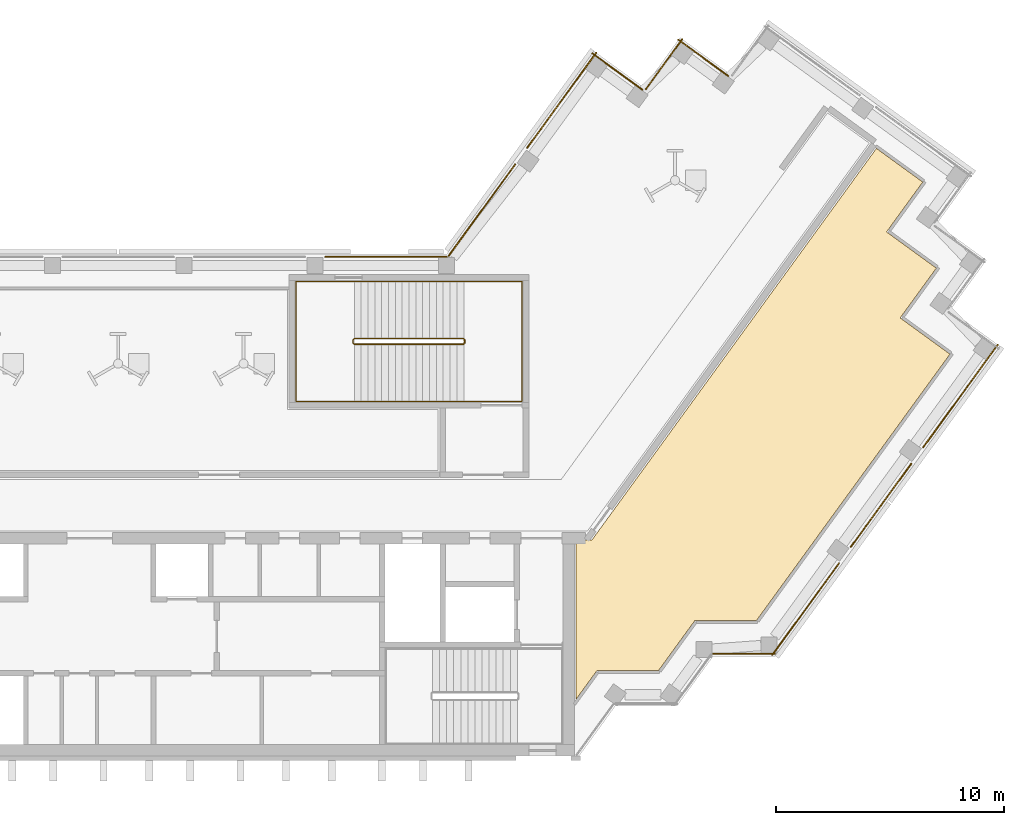
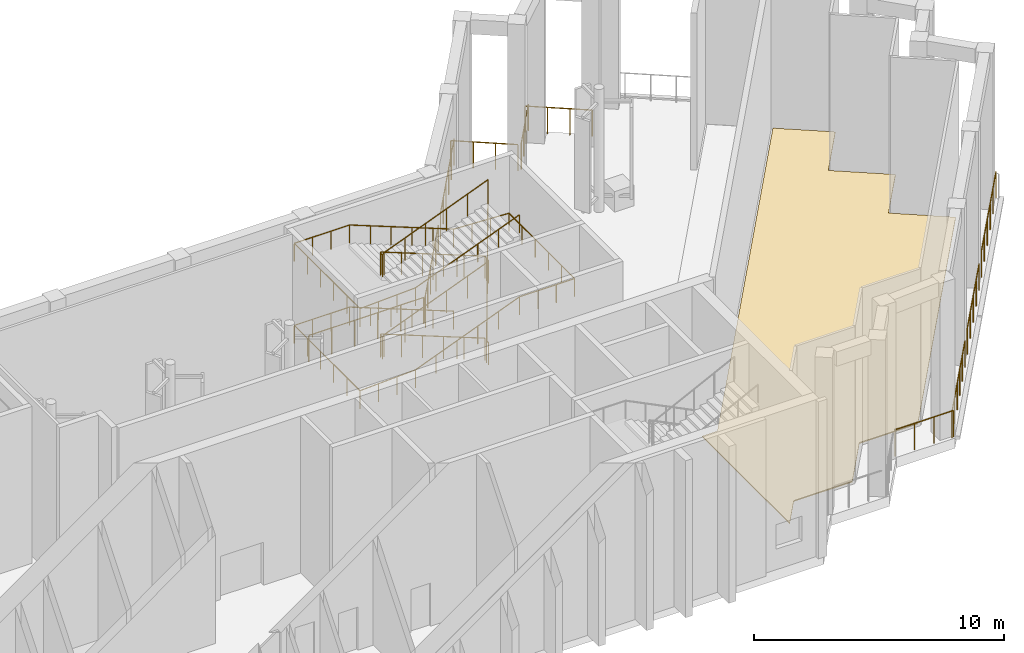
# One storey, part 10 of 12: 12 railings, 1 covering.
"""IFC4 building model written with IfcOpenShell, lengths in metres."""

from ifc_helpers import new_model, si_unit, direction, frame, origin, origin_2d, place, context, subcontext, project, spatial, polyline, circle, outline, extrude, material, layer, layer_set, type_object, element, save


model = new_model("IFC4")

# Units and contexts
model_context = context("Model", 3, precision=1e-05, world=origin(), true_north=direction((0.0, 1.0)))
body_context = subcontext(model_context, "Body", "Model", "MODEL_VIEW")
ifc_project = project(units=[si_unit("LENGTHUNIT", "METRE"), si_unit("AREAUNIT", "SQUARE_METRE"), si_unit("VOLUMEUNIT", "CUBIC_METRE"), si_unit("PLANEANGLEUNIT", "RADIAN"), si_unit("MASSUNIT", "GRAM", prefix="KILO")], contexts=[model_context])

# Site, building, storey
site_placement = place(None, origin())
site = spatial("IfcSite", under=ifc_project, at=site_placement, CompositionType="ELEMENT")
building_placement = place(site_placement, origin())
building = spatial("IfcBuilding", under=site, at=building_placement, Name="Quipu Civic Tower", CompositionType="ELEMENT")
storey_placement = place(building_placement, frame((0.0, 0.0, 273.0)))
storey = spatial("IfcBuildingStorey", under=building, at=storey_placement, Name="L64", CompositionType="ELEMENT", Elevation=273.0)

# Covering
ifc_material_1 = material(Name="Sealed cement screed")
ifc_layer = layer(ifc_material_1, 0.050048828125)
ifc_layer_set = layer_set([ifc_layer], Name="Sealed cement screed")
covering_type = type_object("IfcCoveringType", Name="Sealed screed floor finish 50", PredefinedType="FLOORING", material=ifc_layer_set)
covering_placement = place(storey_placement, origin())
element("IfcCovering", 1, at=covering_placement, inside=storey, type_object=covering_type, Name="Sealed screed floor finish 50", PredefinedType="FLOORING", context=body_context, shape_type="SweptSolid", body=[
    extrude(outline(polyline([(20.070068359375, -8.514892578125), (20.070068359375, -1.52001953125), (20.77490234375, -1.51904296875), (33.238037109375, 15.635009765625), (35.26904296875, 14.159912109375), (33.68310546875, 11.97412109375), (35.865966796875, 10.387939453125), (34.280029296875, 8.2041015625), (36.462890625, 6.616943359375), (27.97900390625, -5.06103515625), (25.279052734375, -5.06103515625), (23.69189453125, -7.24609375), (20.991943359375, -7.24609375), (20.070068359375, -8.514892578125)])), origin(), (0.0, 0.0, 1.0), 0.050048828125),
])

# Railings
ifc_material_2 = material(Name="Steel S275", Category="steel")
railing_type_1 = type_object("IfcRailingType", Name="Slot perimeter guard G3", PredefinedType="GUARDRAIL", material=ifc_material_2)
railing_1_placement = place(storey_placement, frame((26.078857421875, -6.51123046875, 0.0)))
element("IfcRailing", 2, at=railing_1_placement, inside=storey, type_object=railing_type_1, Name="Slot guard L64.23", PredefinedType="GUARDRAIL", context=body_context, shape_type="SweptSolid", body=[
    extrude(circle(Radius=0.02490234375, at=origin_2d()), frame((0.0, 0.0, 1.27490234375), z_axis=(1.0, 0.0, 0.0), x_axis=(0.0, 1.0, 0.0)), (0.0, 0.0, 1.0), 2.699951171875),
    extrude(circle(Radius=0.02490234375, at=origin_2d()), origin(), (0.0, 0.0, 1.0), 1.25),
    extrude(circle(Radius=0.02490234375, at=origin_2d()), frame((0.89990234375, 0.0, 0.0)), (0.0, 0.0, 1.0), 1.25),
    extrude(circle(Radius=0.02490234375, at=origin_2d()), frame((1.800048828125, 0.0, 0.0)), (0.0, 0.0, 1.0), 1.25),
    extrude(circle(Radius=0.02490234375, at=origin_2d()), frame((2.699951171875, 0.0, 0.0)), (0.0, 0.0, 1.0), 1.25),
])
railing_2_placement = place(storey_placement, frame((28.681640625, -6.560791015625, 0.0)))
element("IfcRailing", 3, at=railing_2_placement, inside=storey, type_object=railing_type_1, Name="Slot guard L64.24", PredefinedType="GUARDRAIL", context=body_context, shape_type="SweptSolid", body=[
    extrude(circle(Radius=0.02490234375, at=origin_2d()), frame((0.0, 0.0, 1.27490234375), z_axis=(0.587802132171, 0.809004730156, 0.0), x_axis=(-0.809004730156, 0.587802132171, 0.0)), (0.0, 0.0, 1.0), 4.9501953125),
    extrude(circle(Radius=0.02490234375, at=origin_2d()), origin(), (0.0, 0.0, 1.0), 1.25),
    extrude(circle(Radius=0.02490234375, at=origin_2d()), frame((0.58203125, 0.801025390625, 0.0)), (0.0, 0.0, 1.0), 1.25),
    extrude(circle(Radius=0.02490234375, at=origin_2d()), frame((1.163818359375, 1.601806640625, 0.0)), (0.0, 0.0, 1.0), 1.25),
    extrude(circle(Radius=0.02490234375, at=origin_2d()), frame((1.745849609375, 2.40283203125, 0.0)), (0.0, 0.0, 1.0), 1.25),
    extrude(circle(Radius=0.02490234375, at=origin_2d()), frame((2.32763671875, 3.20361328125, 0.0)), (0.0, 0.0, 1.0), 1.25),
    extrude(circle(Radius=0.02490234375, at=origin_2d()), frame((2.90966796875, 4.004638671875, 0.0)), (0.0, 0.0, 1.0), 1.25),
])
railing_3_placement = place(storey_placement, frame((32.120361328125, -1.827880859375, 0.0)))
element("IfcRailing", 4, at=railing_3_placement, inside=storey, type_object=railing_type_1, Name="Slot guard L64.25", PredefinedType="GUARDRAIL", context=body_context, shape_type="SweptSolid", body=[
    extrude(circle(Radius=0.02490234375, at=origin_2d()), frame((0.0, 0.0, 1.27490234375), z_axis=(0.587803872688, 0.809003465539, 0.0), x_axis=(-0.809003465539, 0.587803872688, 0.0)), (0.0, 0.0, 1.0), 4.499755859375),
    extrude(circle(Radius=0.02490234375, at=origin_2d()), origin(), (0.0, 0.0, 1.0), 1.25),
    extrude(circle(Radius=0.02490234375, at=origin_2d()), frame((0.6611328125, 0.91015625, 0.0)), (0.0, 0.0, 1.0), 1.25),
    extrude(circle(Radius=0.02490234375, at=origin_2d()), frame((1.322509765625, 1.8203125, 0.0)), (0.0, 0.0, 1.0), 1.25),
    extrude(circle(Radius=0.02490234375, at=origin_2d()), frame((1.98388671875, 2.730224609375, 0.0)), (0.0, 0.0, 1.0), 1.25),
    extrude(circle(Radius=0.02490234375, at=origin_2d()), frame((2.64501953125, 3.640380859375, 0.0)), (0.0, 0.0, 1.0), 1.25),
])
railing_4_placement = place(storey_placement, frame((35.29443359375, 2.540771484375, 0.0)))
element("IfcRailing", 5, at=railing_4_placement, inside=storey, type_object=railing_type_1, Name="Slot guard L64.26", PredefinedType="GUARDRAIL", context=body_context, shape_type="SweptSolid", body=[
    extrude(circle(Radius=0.02490234375, at=origin_2d()), frame((0.0, 0.0, 1.27490234375), z_axis=(0.587792681031, 0.809011597028, 0.0), x_axis=(-0.809011597028, 0.587792681031, 0.0)), (0.0, 0.0, 1.0), 5.554443359375),
    extrude(circle(Radius=0.02490234375, at=origin_2d()), origin(), (0.0, 0.0, 1.0), 1.25),
    extrude(circle(Radius=0.02490234375, at=origin_2d()), frame((0.653076171875, 0.898681640625, 0.0)), (0.0, 0.0, 1.0), 1.25),
    extrude(circle(Radius=0.02490234375, at=origin_2d()), frame((1.305908203125, 1.79736328125, 0.0)), (0.0, 0.0, 1.0), 1.25),
    extrude(circle(Radius=0.02490234375, at=origin_2d()), frame((1.958984375, 2.6962890625, 0.0)), (0.0, 0.0, 1.0), 1.25),
    extrude(circle(Radius=0.02490234375, at=origin_2d()), frame((2.61181640625, 3.594970703125, 0.0)), (0.0, 0.0, 1.0), 1.25),
    extrude(circle(Radius=0.02490234375, at=origin_2d()), frame((3.264892578125, 4.49365234375, 0.0)), (0.0, 0.0, 1.0), 1.25),
])
railing_5_placement = place(storey_placement, frame((26.7431640625, 18.80859375, 0.0)))
element("IfcRailing", 6, at=railing_5_placement, inside=storey, type_object=railing_type_1, Name="Slot guard L64.34", PredefinedType="GUARDRAIL", context=body_context, shape_type="SweptSolid", body=[
    extrude(circle(Radius=0.02490234375, at=origin_2d()), frame((0.0, 0.0, 1.27490234375), z_axis=(-0.809033161865, 0.587762999008, 0.0), x_axis=(-0.587762999008, -0.809033161865, 0.0)), (0.0, 0.0, 1.0), 2.699951171875),
    extrude(circle(Radius=0.02490234375, at=origin_2d()), origin(), (0.0, 0.0, 1.0), 1.25),
    extrude(circle(Radius=0.02490234375, at=origin_2d()), frame((-0.72802734375, 0.529052734375, 0.0)), (0.0, 0.0, 1.0), 1.25),
    extrude(circle(Radius=0.02490234375, at=origin_2d()), frame((-1.456298828125, 1.057861328125, 0.0)), (0.0, 0.0, 1.0), 1.25),
    extrude(circle(Radius=0.02490234375, at=origin_2d()), frame((-2.184326171875, 1.5869140625, 0.0)), (0.0, 0.0, 1.0), 1.25),
])
railing_6_placement = place(storey_placement, frame((24.7265625, 20.422119140625, 0.0)))
element("IfcRailing", 7, at=railing_6_placement, inside=storey, type_object=railing_type_1, Name="Slot guard L64.35", PredefinedType="GUARDRAIL", context=body_context, shape_type="SweptSolid", body=[
    extrude(circle(Radius=0.02490234375, at=origin_2d()), frame((0.0, 0.0, 1.27490234375), z_axis=(-0.587822180636, -0.808990163075, 0.0), x_axis=(0.808990163075, -0.587822180636, 0.0)), (0.0, 0.0, 1.0), 2.699951171875),
    extrude(circle(Radius=0.02490234375, at=origin_2d()), origin(), (0.0, 0.0, 1.0), 1.25),
    extrude(circle(Radius=0.02490234375, at=origin_2d()), frame((-0.529052734375, -0.72802734375, 0.0)), (0.0, 0.0, 1.0), 1.25),
    extrude(circle(Radius=0.02490234375, at=origin_2d()), frame((-1.05810546875, -1.456298828125, 0.0)), (0.0, 0.0, 1.0), 1.25),
    extrude(circle(Radius=0.02490234375, at=origin_2d()), frame((-1.587158203125, -2.184326171875, 0.0)), (0.0, 0.0, 1.0), 1.25),
])
railing_7_placement = place(storey_placement, frame((22.971923828125, 18.211181640625, 0.0)))
element("IfcRailing", 8, at=railing_7_placement, inside=storey, type_object=railing_type_1, Name="Slot guard L64.36", PredefinedType="GUARDRAIL", context=body_context, shape_type="SweptSolid", body=[
    extrude(circle(Radius=0.02490234375, at=origin_2d()), frame((0.0, 0.0, 1.27490234375), z_axis=(-0.809064397168, 0.587720002413, 0.0), x_axis=(-0.587720002413, -0.809064397168, 0.0)), (0.0, 0.0, 1.0), 2.7001953125),
    extrude(circle(Radius=0.02490234375, at=origin_2d()), origin(), (0.0, 0.0, 1.0), 1.25),
    extrude(circle(Radius=0.02490234375, at=origin_2d()), frame((-0.728271484375, 0.529052734375, 0.0)), (0.0, 0.0, 1.0), 1.25),
    extrude(circle(Radius=0.02490234375, at=origin_2d()), frame((-1.456298828125, 1.057861328125, 0.0)), (0.0, 0.0, 1.0), 1.25),
    extrude(circle(Radius=0.02490234375, at=origin_2d()), frame((-2.1845703125, 1.5869140625, 0.0)), (0.0, 0.0, 1.0), 1.25),
])
railing_8_placement = place(storey_placement, frame((20.955078125, 19.82470703125, 0.0)))
element("IfcRailing", 9, at=railing_8_placement, inside=storey, type_object=railing_type_1, Name="Slot guard L64.37", PredefinedType="GUARDRAIL", context=body_context, shape_type="SweptSolid", body=[
    extrude(circle(Radius=0.02490234375, at=origin_2d()), frame((0.0, 0.0, 1.27490234375), z_axis=(-0.587790732133, -0.809013013009, 0.0), x_axis=(0.809013013009, -0.587790732133, 0.0)), (0.0, 0.0, 1.0), 5.14501953125),
    extrude(circle(Radius=0.02490234375, at=origin_2d()), origin(), (0.0, 0.0, 1.0), 1.25),
    extrude(circle(Radius=0.02490234375, at=origin_2d()), frame((-0.604736328125, -0.83251953125, 0.0)), (0.0, 0.0, 1.0), 1.25),
    extrude(circle(Radius=0.02490234375, at=origin_2d()), frame((-1.209716796875, -1.6650390625, 0.0)), (0.0, 0.0, 1.0), 1.25),
    extrude(circle(Radius=0.02490234375, at=origin_2d()), frame((-1.814453125, -2.497314453125, 0.0)), (0.0, 0.0, 1.0), 1.25),
    extrude(circle(Radius=0.02490234375, at=origin_2d()), frame((-2.41943359375, -3.329833984375, 0.0)), (0.0, 0.0, 1.0), 1.25),
    extrude(circle(Radius=0.02490234375, at=origin_2d()), frame((-3.024169921875, -4.162353515625, 0.0)), (0.0, 0.0, 1.0), 1.25),
])
railing_9_placement = place(storey_placement, frame((17.40185546875, 14.93408203125, 0.0)))
element("IfcRailing", 10, at=railing_9_placement, inside=storey, type_object=railing_type_1, Name="Slot guard L64.38", PredefinedType="GUARDRAIL", context=body_context, shape_type="SweptSolid", body=[
    extrude(circle(Radius=0.02490234375, at=origin_2d()), frame((0.0, 0.0, 1.27490234375), z_axis=(-0.587802132171, -0.809004730156, 0.0), x_axis=(0.809004730156, -0.587802132171, 0.0)), (0.0, 0.0, 1.0), 4.9501953125),
    extrude(circle(Radius=0.02490234375, at=origin_2d()), origin(), (0.0, 0.0, 1.0), 1.25),
    extrude(circle(Radius=0.02490234375, at=origin_2d()), frame((-0.58203125, -0.801025390625, 0.0)), (0.0, 0.0, 1.0), 1.25),
    extrude(circle(Radius=0.02490234375, at=origin_2d()), frame((-1.163818359375, -1.601806640625, 0.0)), (0.0, 0.0, 1.0), 1.25),
    extrude(circle(Radius=0.02490234375, at=origin_2d()), frame((-1.745849609375, -2.40283203125, 0.0)), (0.0, 0.0, 1.0), 1.25),
    extrude(circle(Radius=0.02490234375, at=origin_2d()), frame((-2.32763671875, -3.20361328125, 0.0)), (0.0, 0.0, 1.0), 1.25),
    extrude(circle(Radius=0.02490234375, at=origin_2d()), frame((-2.90966796875, -4.004638671875, 0.0)), (0.0, 0.0, 1.0), 1.25),
])
railing_10_placement = place(storey_placement, frame((14.395263671875, 10.8798828125, 0.0)))
element("IfcRailing", 11, at=railing_10_placement, inside=storey, type_object=railing_type_1, Name="Slot guard L64.39", PredefinedType="GUARDRAIL", context=body_context, shape_type="SweptSolid", body=[
    extrude(circle(Radius=0.02490234375, at=origin_2d()), frame((0.0, 0.0, 1.27490234375), z_axis=(-1.0, 0.0, 0.0), x_axis=(0.0, -1.0, 0.0)), (0.0, 0.0, 1.0), 5.30810546875),
    extrude(circle(Radius=0.02490234375, at=origin_2d()), origin(), (0.0, 0.0, 1.0), 1.25),
    extrude(circle(Radius=0.02490234375, at=origin_2d()), frame((-1.0615234375, 0.0, 0.0)), (0.0, 0.0, 1.0), 1.25),
    extrude(circle(Radius=0.02490234375, at=origin_2d()), frame((-2.123291015625, 0.0, 0.0)), (0.0, 0.0, 1.0), 1.25),
    extrude(circle(Radius=0.02490234375, at=origin_2d()), frame((-3.184814453125, 0.0, 0.0)), (0.0, 0.0, 1.0), 1.25),
    extrude(circle(Radius=0.02490234375, at=origin_2d()), frame((-4.24658203125, 0.0, 0.0)), (0.0, 0.0, 1.0), 1.25),
    extrude(circle(Radius=0.02490234375, at=origin_2d()), frame((-5.30810546875, 0.0, 0.0)), (0.0, 0.0, 1.0), 1.25),
])
ifc_material_3 = material(Name="Stainless steel", Category="steel")
railing_type_2 = type_object("IfcRailingType", Name="Stair guard 1100", PredefinedType="GUARDRAIL", material=ifc_material_3)
railing_11_placement = place(storey_placement, frame((15.14990234375, 7.300048828125, 0.11767578125)))
element("IfcRailing", 12, at=railing_11_placement, inside=storey, type_object=railing_type_2, Name="Stair 4 guard", PredefinedType="GUARDRAIL", context=body_context, shape_type="SweptSolid", body=[
    extrude(circle(Radius=0.02392578125, at=origin_2d()), frame((0.0, 0.0, 1.076171875), z_axis=(-0.930970042603, 0.0, 0.365095576219), x_axis=(0.0, -1.0, 0.0)), (0.0, 0.0, 1.0), 5.15576171875),
    extrude(circle(Radius=0.02392578125, at=origin_2d()), frame((-4.7998046875, 0.0, 2.95849609375), z_axis=(-0.707106781187, -0.707106781187, 0.0), x_axis=(0.707106781187, -0.707106781187, 0.0)), (0.0, 0.0, 1.0), 0.07080078125),
    extrude(circle(Radius=0.02392578125, at=origin_2d()), frame((-4.849853515625, -0.050048828125, 2.95849609375), z_axis=(0.0, -1.0, 0.0), x_axis=(1.0, 0.0, 0.0)), (0.0, 0.0, 1.0), 0.14990234375),
    extrude(circle(Radius=0.02392578125, at=origin_2d()), frame((-4.849853515625, -0.199951171875, 2.95849609375), z_axis=(0.364463019033, -0.364463019033, 0.856932561824), x_axis=(0.707106781187, 0.707106781187, 0.0)), (0.0, 0.0, 1.0), 0.13720703125),
    extrude(circle(Radius=0.02392578125, at=origin_2d()), frame((-4.7998046875, -0.25, 3.076171875), z_axis=(0.930970042603, 0.0, 0.365095576219), x_axis=(0.0, 1.0, 0.0)), (0.0, 0.0, 1.0), 5.15576171875),
    extrude(circle(Radius=0.02392578125, at=origin_2d()), frame((0.0, -0.25, 4.95849609375), z_axis=(0.242814311512, 0.970072785993, 0.0), x_axis=(-0.970072785993, 0.242814311512, 0.0)), (0.0, 0.0, 1.0), 0.2060546875),
    extrude(circle(Radius=0.02392578125, at=origin_2d()), frame((0.050048828125, -0.050048828125, 4.95849609375), z_axis=(0.0, -1.0, 0.0), x_axis=(1.0, 0.0, 0.0)), (0.0, 0.0, 1.0), 0.14990234375),
    extrude(circle(Radius=0.02392578125, at=origin_2d()), frame((0.050048828125, -0.199951171875, 4.95849609375), z_axis=(-0.210868972508, 0.842447260898, 0.495799242677), x_axis=(-0.970072785993, -0.242814311512, 0.0)), (0.0, 0.0, 1.0), 0.2373046875),
    extrude(circle(Radius=0.02392578125, at=origin_2d()), frame((0.0, 0.0, 5.076171875), z_axis=(-0.930970042603, 0.0, 0.365095576219), x_axis=(0.0, -1.0, 0.0)), (0.0, 0.0, 1.0), 5.15576171875),
    extrude(circle(Radius=0.02392578125, at=origin_2d()), frame((-4.7998046875, 0.0, 6.95849609375), z_axis=(-0.707106781187, -0.707106781187, 0.0), x_axis=(0.707106781187, -0.707106781187, 0.0)), (0.0, 0.0, 1.0), 0.07080078125),
    extrude(circle(Radius=0.02392578125, at=origin_2d()), frame((-4.849853515625, -0.050048828125, 6.95849609375), z_axis=(0.0, -1.0, 0.0), x_axis=(1.0, 0.0, 0.0)), (0.0, 0.0, 1.0), 0.14990234375),
    extrude(circle(Radius=0.02392578125, at=origin_2d()), frame((-4.849853515625, -0.199951171875, 6.95849609375), z_axis=(0.364463019033, -0.364463019033, 0.856932561824), x_axis=(0.707106781187, 0.707106781187, 0.0)), (0.0, 0.0, 1.0), 0.13720703125),
    extrude(circle(Radius=0.02392578125, at=origin_2d()), frame((-4.7998046875, -0.25, 7.076171875), z_axis=(0.930970042603, 0.0, 0.365095576219), x_axis=(0.0, 1.0, 0.0)), (0.0, 0.0, 1.0), 5.15576171875),
    extrude(circle(Radius=0.02392578125, at=origin_2d()), frame((0.0, -0.25, 8.95849609375), z_axis=(0.006254028043, 0.024985604717, -0.999668248315), x_axis=(-0.970072785993, 0.242814311512, 0.0)), (0.0, 0.0, 1.0), 8.002685546875),
    extrude(circle(Radius=0.02392578125, at=origin_2d()), frame((0.050048828125, -0.050048828125, 0.95849609375), z_axis=(0.0, -1.0, 0.0), x_axis=(1.0, 0.0, 0.0)), (0.0, 0.0, 1.0), 0.14990234375),
    extrude(circle(Radius=0.02099609375, at=origin_2d()), origin(), (0.0, 0.0, 1.0), 1.052001953125),
    extrude(circle(Radius=0.02099609375, at=origin_2d()), frame((-0.9599609375, 0.0, 0.37646484375)), (0.0, 0.0, 1.0), 1.052001953125),
    extrude(circle(Radius=0.02099609375, at=origin_2d()), frame((-1.919921875, 0.0, 0.7529296875)), (0.0, 0.0, 1.0), 1.052001953125),
    extrude(circle(Radius=0.02099609375, at=origin_2d()), frame((-2.8798828125, 0.0, 1.12939453125)), (0.0, 0.0, 1.0), 1.052001953125),
    extrude(circle(Radius=0.02099609375, at=origin_2d()), frame((-3.83984375, 0.0, 1.505859375)), (0.0, 0.0, 1.0), 1.052001953125),
    extrude(circle(Radius=0.02099609375, at=origin_2d()), frame((-4.7998046875, 0.0, 1.88232421875)), (0.0, 0.0, 1.0), 1.052001953125),
    extrude(circle(Radius=0.02099609375, at=origin_2d()), frame((-4.849853515625, -0.050048828125, 1.88232421875)), (0.0, 0.0, 1.0), 1.052001953125),
    extrude(circle(Radius=0.02099609375, at=origin_2d()), frame((-4.849853515625, -0.199951171875, 1.88232421875)), (0.0, 0.0, 1.0), 1.052001953125),
    extrude(circle(Radius=0.02099609375, at=origin_2d()), frame((-4.7998046875, -0.25, 2.0)), (0.0, 0.0, 1.0), 1.052001953125),
    extrude(circle(Radius=0.02099609375, at=origin_2d()), frame((-3.83984375, -0.25, 2.37646484375)), (0.0, 0.0, 1.0), 1.052001953125),
    extrude(circle(Radius=0.02099609375, at=origin_2d()), frame((-2.8798828125, -0.25, 2.7529296875)), (0.0, 0.0, 1.0), 1.052001953125),
    extrude(circle(Radius=0.02099609375, at=origin_2d()), frame((-1.919921875, -0.25, 3.12939453125)), (0.0, 0.0, 1.0), 1.052001953125),
    extrude(circle(Radius=0.02099609375, at=origin_2d()), frame((-0.9599609375, -0.25, 3.505859375)), (0.0, 0.0, 1.0), 1.052001953125),
    extrude(circle(Radius=0.02099609375, at=origin_2d()), frame((0.0, -0.25, 3.88232421875)), (0.0, 0.0, 1.0), 1.052001953125),
    extrude(circle(Radius=0.02099609375, at=origin_2d()), frame((0.050048828125, -0.050048828125, 3.88232421875)), (0.0, 0.0, 1.0), 1.052001953125),
    extrude(circle(Radius=0.02099609375, at=origin_2d()), frame((0.050048828125, -0.199951171875, 3.88232421875)), (0.0, 0.0, 1.0), 1.052001953125),
    extrude(circle(Radius=0.02099609375, at=origin_2d()), frame((0.0, 0.0, 4.0)), (0.0, 0.0, 1.0), 1.052001953125),
    extrude(circle(Radius=0.02099609375, at=origin_2d()), frame((-0.9599609375, 0.0, 4.37646484375)), (0.0, 0.0, 1.0), 1.052001953125),
    extrude(circle(Radius=0.02099609375, at=origin_2d()), frame((-1.919921875, 0.0, 4.7529296875)), (0.0, 0.0, 1.0), 1.052001953125),
    extrude(circle(Radius=0.02099609375, at=origin_2d()), frame((-2.8798828125, 0.0, 5.12939453125)), (0.0, 0.0, 1.0), 1.052001953125),
    extrude(circle(Radius=0.02099609375, at=origin_2d()), frame((-3.83984375, 0.0, 5.505859375)), (0.0, 0.0, 1.0), 1.052001953125),
    extrude(circle(Radius=0.02099609375, at=origin_2d()), frame((-4.7998046875, 0.0, 5.88232421875)), (0.0, 0.0, 1.0), 1.052001953125),
    extrude(circle(Radius=0.02099609375, at=origin_2d()), frame((-4.849853515625, -0.050048828125, 5.88232421875)), (0.0, 0.0, 1.0), 1.052001953125),
    extrude(circle(Radius=0.02099609375, at=origin_2d()), frame((-4.849853515625, -0.199951171875, 5.88232421875)), (0.0, 0.0, 1.0), 1.052001953125),
    extrude(circle(Radius=0.02099609375, at=origin_2d()), frame((-4.7998046875, -0.25, 6.0)), (0.0, 0.0, 1.0), 1.052001953125),
    extrude(circle(Radius=0.02099609375, at=origin_2d()), frame((-3.83984375, -0.25, 6.37646484375)), (0.0, 0.0, 1.0), 1.052001953125),
    extrude(circle(Radius=0.02099609375, at=origin_2d()), frame((-2.8798828125, -0.25, 6.7529296875)), (0.0, 0.0, 1.0), 1.052001953125),
    extrude(circle(Radius=0.02099609375, at=origin_2d()), frame((-1.919921875, -0.25, 7.12939453125)), (0.0, 0.0, 1.0), 1.052001953125),
    extrude(circle(Radius=0.02099609375, at=origin_2d()), frame((-0.9599609375, -0.25, 7.505859375)), (0.0, 0.0, 1.0), 1.052001953125),
    extrude(circle(Radius=0.02099609375, at=origin_2d()), frame((0.0, -0.25, 7.88232421875)), (0.0, 0.0, 1.0), 1.052001953125),
    extrude(circle(Radius=0.02099609375, at=origin_2d()), frame((0.007080078125, -0.221435546875, 6.739501953125)), (0.0, 0.0, 1.0), 1.052001953125),
    extrude(circle(Radius=0.02099609375, at=origin_2d()), frame((0.014404296875, -0.19287109375, 5.5966796875)), (0.0, 0.0, 1.0), 1.052001953125),
    extrude(circle(Radius=0.02099609375, at=origin_2d()), frame((0.021484375, -0.164306640625, 4.453857421875)), (0.0, 0.0, 1.0), 1.052001953125),
    extrude(circle(Radius=0.02099609375, at=origin_2d()), frame((0.028564453125, -0.1357421875, 3.310791015625)), (0.0, 0.0, 1.0), 1.052001953125),
    extrude(circle(Radius=0.02099609375, at=origin_2d()), frame((0.03564453125, -0.107177734375, 2.16796875)), (0.0, 0.0, 1.0), 1.052001953125),
    extrude(circle(Radius=0.02099609375, at=origin_2d()), frame((0.04296875, -0.07861328125, 1.025146484375)), (0.0, 0.0, 1.0), 1.052001953125),
    extrude(circle(Radius=0.02099609375, at=origin_2d()), frame((0.050048828125, -0.050048828125, -0.11767578125)), (0.0, 0.0, 1.0), 1.052001953125),
    extrude(circle(Radius=0.02099609375, at=origin_2d()), frame((0.050048828125, -0.199951171875, -0.11767578125)), (0.0, 0.0, 1.0), 1.052001953125),
])
ifc_material_4 = material(Name="Stainless steel", Category="steel")
railing_type_3 = type_object("IfcRailingType", Name="Stair handrail", PredefinedType="HANDRAIL", material=ifc_material_4)
railing_12_placement = place(storey_placement, frame((15.14990234375, 9.800048828125, 0.11767578125)))
element("IfcRailing", 13, at=railing_12_placement, inside=storey, type_object=railing_type_3, Name="Stair 4 handrail", PredefinedType="HANDRAIL", context=body_context, shape_type="SweptSolid", body=[
    extrude(circle(Radius=0.02392578125, at=origin_2d()), frame((0.0, 0.0, 0.8759765625), z_axis=(-0.930970042603, 0.0, 0.365095576219), x_axis=(0.0, -1.0, 0.0)), (0.0, 0.0, 1.0), 5.15576171875),
    extrude(circle(Radius=0.02392578125, at=origin_2d()), frame((-4.7998046875, 0.0, 2.75830078125), z_axis=(-1.0, 0.0, 0.0), x_axis=(0.0, -1.0, 0.0)), (0.0, 0.0, 1.0), 2.550048828125),
    extrude(circle(Radius=0.02392578125, at=origin_2d()), frame((-7.349853515625, 0.0, 2.75830078125), z_axis=(0.0, -1.0, 0.0), x_axis=(1.0, 0.0, 0.0)), (0.0, 0.0, 1.0), 5.25),
    extrude(circle(Radius=0.02392578125, at=origin_2d()), frame((-7.349853515625, -5.25, 2.75830078125), z_axis=(0.998936948642, 0.0, 0.04609742549), x_axis=(0.0, 1.0, 0.0)), (0.0, 0.0, 1.0), 2.552734375),
    extrude(circle(Radius=0.02392578125, at=origin_2d()), frame((-4.7998046875, -5.25, 2.8759765625), z_axis=(0.930970042603, 0.0, 0.365095576219), x_axis=(0.0, 1.0, 0.0)), (0.0, 0.0, 1.0), 5.15576171875),
    extrude(circle(Radius=0.02392578125, at=origin_2d()), frame((0.0, -5.25, 4.75830078125), z_axis=(1.0, 0.0, 0.0), x_axis=(0.0, 1.0, 0.0)), (0.0, 0.0, 1.0), 2.550048828125),
    extrude(circle(Radius=0.02392578125, at=origin_2d()), frame((2.550048828125, -5.25, 4.75830078125), z_axis=(0.0, 1.0, 0.0), x_axis=(-1.0, 0.0, 0.0)), (0.0, 0.0, 1.0), 5.25),
    extrude(circle(Radius=0.02392578125, at=origin_2d()), frame((2.550048828125, 0.0, 4.75830078125), z_axis=(-0.998936948642, 0.0, 0.04609742549), x_axis=(0.0, -1.0, 0.0)), (0.0, 0.0, 1.0), 2.552734375),
    extrude(circle(Radius=0.02392578125, at=origin_2d()), frame((0.0, 0.0, 4.8759765625), z_axis=(-0.930970042603, 0.0, 0.365095576219), x_axis=(0.0, -1.0, 0.0)), (0.0, 0.0, 1.0), 5.15576171875),
    extrude(circle(Radius=0.02392578125, at=origin_2d()), frame((-4.7998046875, 0.0, 6.75830078125), z_axis=(-1.0, 0.0, 0.0), x_axis=(0.0, -1.0, 0.0)), (0.0, 0.0, 1.0), 2.550048828125),
    extrude(circle(Radius=0.02392578125, at=origin_2d()), frame((-7.349853515625, 0.0, 6.75830078125), z_axis=(0.0, -1.0, 0.0), x_axis=(1.0, 0.0, 0.0)), (0.0, 0.0, 1.0), 5.25),
    extrude(circle(Radius=0.02392578125, at=origin_2d()), frame((-7.349853515625, -5.25, 6.75830078125), z_axis=(0.998936948642, 0.0, 0.04609742549), x_axis=(0.0, 1.0, 0.0)), (0.0, 0.0, 1.0), 2.552734375),
    extrude(circle(Radius=0.02392578125, at=origin_2d()), frame((-4.7998046875, -5.25, 6.8759765625), z_axis=(0.930970042603, 0.0, 0.365095576219), x_axis=(0.0, 1.0, 0.0)), (0.0, 0.0, 1.0), 5.15576171875),
    extrude(circle(Radius=0.02099609375, at=origin_2d()), origin(), (0.0, 0.0, 1.0), 0.851806640625),
    extrude(circle(Radius=0.02099609375, at=origin_2d()), frame((-0.9599609375, 0.0, 0.37646484375)), (0.0, 0.0, 1.0), 0.851806640625),
    extrude(circle(Radius=0.02099609375, at=origin_2d()), frame((-1.919921875, 0.0, 0.7529296875)), (0.0, 0.0, 1.0), 0.851806640625),
    extrude(circle(Radius=0.02099609375, at=origin_2d()), frame((-2.8798828125, 0.0, 1.12939453125)), (0.0, 0.0, 1.0), 0.851806640625),
    extrude(circle(Radius=0.02099609375, at=origin_2d()), frame((-3.83984375, 0.0, 1.505859375)), (0.0, 0.0, 1.0), 0.851806640625),
    extrude(circle(Radius=0.02099609375, at=origin_2d()), frame((-4.7998046875, 0.0, 1.88232421875)), (0.0, 0.0, 1.0), 0.851806640625),
    extrude(circle(Radius=0.02099609375, at=origin_2d()), frame((-5.64990234375, 0.0, 1.88232421875)), (0.0, 0.0, 1.0), 0.851806640625),
    extrude(circle(Radius=0.02099609375, at=origin_2d()), frame((-6.499755859375, 0.0, 1.88232421875)), (0.0, 0.0, 1.0), 0.851806640625),
    extrude(circle(Radius=0.02099609375, at=origin_2d()), frame((-7.349853515625, 0.0, 1.88232421875)), (0.0, 0.0, 1.0), 0.851806640625),
    extrude(circle(Radius=0.02099609375, at=origin_2d()), frame((-7.349853515625, -1.050048828125, 1.88232421875)), (0.0, 0.0, 1.0), 0.851806640625),
    extrude(circle(Radius=0.02099609375, at=origin_2d()), frame((-7.349853515625, -2.10009765625, 1.88232421875)), (0.0, 0.0, 1.0), 0.851806640625),
    extrude(circle(Radius=0.02099609375, at=origin_2d()), frame((-7.349853515625, -3.14990234375, 1.88232421875)), (0.0, 0.0, 1.0), 0.851806640625),
    extrude(circle(Radius=0.02099609375, at=origin_2d()), frame((-7.349853515625, -4.199951171875, 1.88232421875)), (0.0, 0.0, 1.0), 0.851806640625),
    extrude(circle(Radius=0.02099609375, at=origin_2d()), frame((-7.349853515625, -5.25, 1.88232421875)), (0.0, 0.0, 1.0), 0.851806640625),
    extrude(circle(Radius=0.02099609375, at=origin_2d()), frame((-6.499755859375, -5.25, 1.921630859375)), (0.0, 0.0, 1.0), 0.851806640625),
    extrude(circle(Radius=0.02099609375, at=origin_2d()), frame((-5.64990234375, -5.25, 1.960693359375)), (0.0, 0.0, 1.0), 0.851806640625),
    extrude(circle(Radius=0.02099609375, at=origin_2d()), frame((-4.7998046875, -5.25, 2.0)), (0.0, 0.0, 1.0), 0.851806640625),
    extrude(circle(Radius=0.02099609375, at=origin_2d()), frame((-3.83984375, -5.25, 2.37646484375)), (0.0, 0.0, 1.0), 0.851806640625),
    extrude(circle(Radius=0.02099609375, at=origin_2d()), frame((-2.8798828125, -5.25, 2.7529296875)), (0.0, 0.0, 1.0), 0.851806640625),
    extrude(circle(Radius=0.02099609375, at=origin_2d()), frame((-1.919921875, -5.25, 3.12939453125)), (0.0, 0.0, 1.0), 0.851806640625),
    extrude(circle(Radius=0.02099609375, at=origin_2d()), frame((-0.9599609375, -5.25, 3.505859375)), (0.0, 0.0, 1.0), 0.851806640625),
    extrude(circle(Radius=0.02099609375, at=origin_2d()), frame((0.0, -5.25, 3.88232421875)), (0.0, 0.0, 1.0), 0.851806640625),
    extrude(circle(Radius=0.02099609375, at=origin_2d()), frame((0.85009765625, -5.25, 3.88232421875)), (0.0, 0.0, 1.0), 0.851806640625),
    extrude(circle(Radius=0.02099609375, at=origin_2d()), frame((1.699951171875, -5.25, 3.88232421875)), (0.0, 0.0, 1.0), 0.851806640625),
    extrude(circle(Radius=0.02099609375, at=origin_2d()), frame((2.550048828125, -5.25, 3.88232421875)), (0.0, 0.0, 1.0), 0.851806640625),
    extrude(circle(Radius=0.02099609375, at=origin_2d()), frame((2.550048828125, -4.199951171875, 3.88232421875)), (0.0, 0.0, 1.0), 0.851806640625),
    extrude(circle(Radius=0.02099609375, at=origin_2d()), frame((2.550048828125, -3.14990234375, 3.88232421875)), (0.0, 0.0, 1.0), 0.851806640625),
    extrude(circle(Radius=0.02099609375, at=origin_2d()), frame((2.550048828125, -2.10009765625, 3.88232421875)), (0.0, 0.0, 1.0), 0.851806640625),
    extrude(circle(Radius=0.02099609375, at=origin_2d()), frame((2.550048828125, -1.050048828125, 3.88232421875)), (0.0, 0.0, 1.0), 0.851806640625),
    extrude(circle(Radius=0.02099609375, at=origin_2d()), frame((2.550048828125, 0.0, 3.88232421875)), (0.0, 0.0, 1.0), 0.851806640625),
    extrude(circle(Radius=0.02099609375, at=origin_2d()), frame((1.699951171875, 0.0, 3.921630859375)), (0.0, 0.0, 1.0), 0.851806640625),
    extrude(circle(Radius=0.02099609375, at=origin_2d()), frame((0.85009765625, 0.0, 3.960693359375)), (0.0, 0.0, 1.0), 0.851806640625),
    extrude(circle(Radius=0.02099609375, at=origin_2d()), frame((0.0, 0.0, 4.0)), (0.0, 0.0, 1.0), 0.851806640625),
    extrude(circle(Radius=0.02099609375, at=origin_2d()), frame((-0.9599609375, 0.0, 4.37646484375)), (0.0, 0.0, 1.0), 0.851806640625),
    extrude(circle(Radius=0.02099609375, at=origin_2d()), frame((-1.919921875, 0.0, 4.7529296875)), (0.0, 0.0, 1.0), 0.851806640625),
    extrude(circle(Radius=0.02099609375, at=origin_2d()), frame((-2.8798828125, 0.0, 5.12939453125)), (0.0, 0.0, 1.0), 0.851806640625),
    extrude(circle(Radius=0.02099609375, at=origin_2d()), frame((-3.83984375, 0.0, 5.505859375)), (0.0, 0.0, 1.0), 0.851806640625),
    extrude(circle(Radius=0.02099609375, at=origin_2d()), frame((-4.7998046875, 0.0, 5.88232421875)), (0.0, 0.0, 1.0), 0.851806640625),
    extrude(circle(Radius=0.02099609375, at=origin_2d()), frame((-5.64990234375, 0.0, 5.88232421875)), (0.0, 0.0, 1.0), 0.851806640625),
    extrude(circle(Radius=0.02099609375, at=origin_2d()), frame((-6.499755859375, 0.0, 5.88232421875)), (0.0, 0.0, 1.0), 0.851806640625),
    extrude(circle(Radius=0.02099609375, at=origin_2d()), frame((-7.349853515625, 0.0, 5.88232421875)), (0.0, 0.0, 1.0), 0.851806640625),
    extrude(circle(Radius=0.02099609375, at=origin_2d()), frame((-7.349853515625, -1.050048828125, 5.88232421875)), (0.0, 0.0, 1.0), 0.851806640625),
    extrude(circle(Radius=0.02099609375, at=origin_2d()), frame((-7.349853515625, -2.10009765625, 5.88232421875)), (0.0, 0.0, 1.0), 0.851806640625),
    extrude(circle(Radius=0.02099609375, at=origin_2d()), frame((-7.349853515625, -3.14990234375, 5.88232421875)), (0.0, 0.0, 1.0), 0.851806640625),
    extrude(circle(Radius=0.02099609375, at=origin_2d()), frame((-7.349853515625, -4.199951171875, 5.88232421875)), (0.0, 0.0, 1.0), 0.851806640625),
    extrude(circle(Radius=0.02099609375, at=origin_2d()), frame((-7.349853515625, -5.25, 5.88232421875)), (0.0, 0.0, 1.0), 0.851806640625),
    extrude(circle(Radius=0.02099609375, at=origin_2d()), frame((-6.499755859375, -5.25, 5.921630859375)), (0.0, 0.0, 1.0), 0.851806640625),
    extrude(circle(Radius=0.02099609375, at=origin_2d()), frame((-5.64990234375, -5.25, 5.960693359375)), (0.0, 0.0, 1.0), 0.851806640625),
    extrude(circle(Radius=0.02099609375, at=origin_2d()), frame((-4.7998046875, -5.25, 6.0)), (0.0, 0.0, 1.0), 0.851806640625),
    extrude(circle(Radius=0.02099609375, at=origin_2d()), frame((-3.83984375, -5.25, 6.37646484375)), (0.0, 0.0, 1.0), 0.851806640625),
    extrude(circle(Radius=0.02099609375, at=origin_2d()), frame((-2.8798828125, -5.25, 6.7529296875)), (0.0, 0.0, 1.0), 0.851806640625),
    extrude(circle(Radius=0.02099609375, at=origin_2d()), frame((-1.919921875, -5.25, 7.12939453125)), (0.0, 0.0, 1.0), 0.851806640625),
    extrude(circle(Radius=0.02099609375, at=origin_2d()), frame((-0.9599609375, -5.25, 7.505859375)), (0.0, 0.0, 1.0), 0.851806640625),
    extrude(circle(Radius=0.02099609375, at=origin_2d()), frame((0.0, -5.25, 7.88232421875)), (0.0, 0.0, 1.0), 0.851806640625),
])

save(model, "model.ifc")
